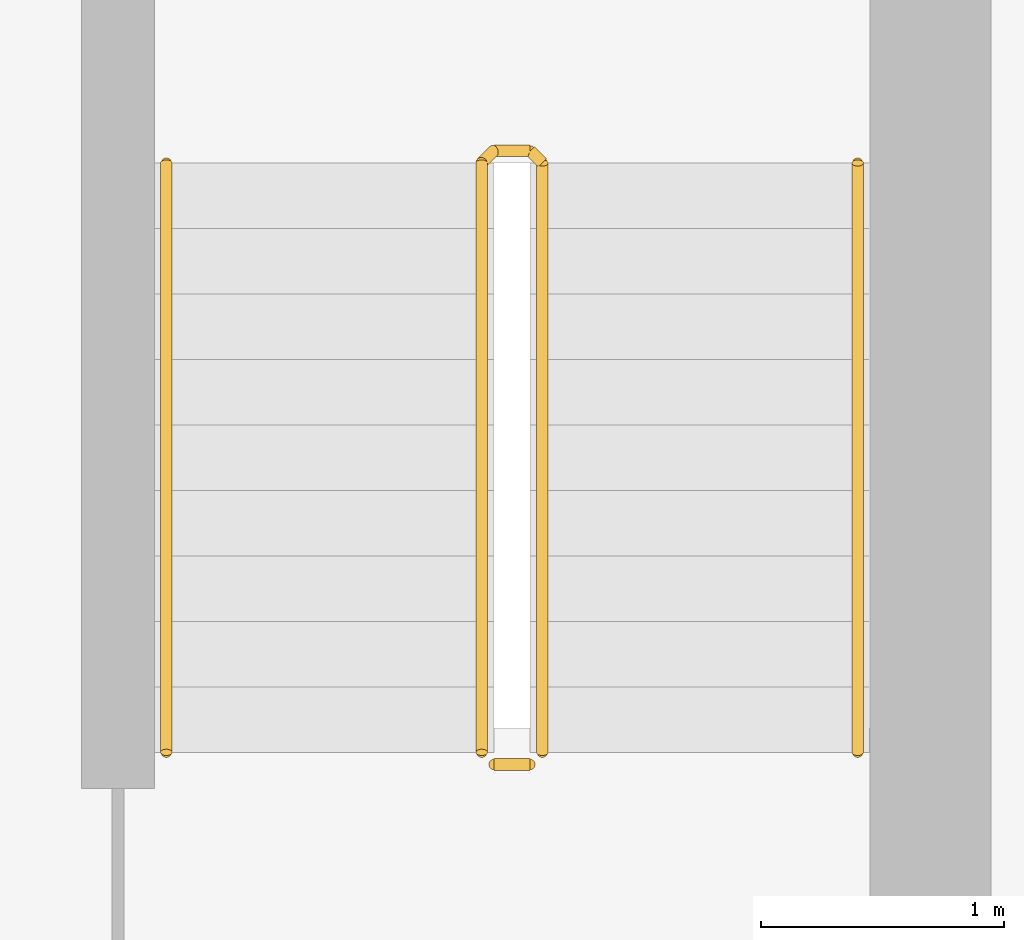
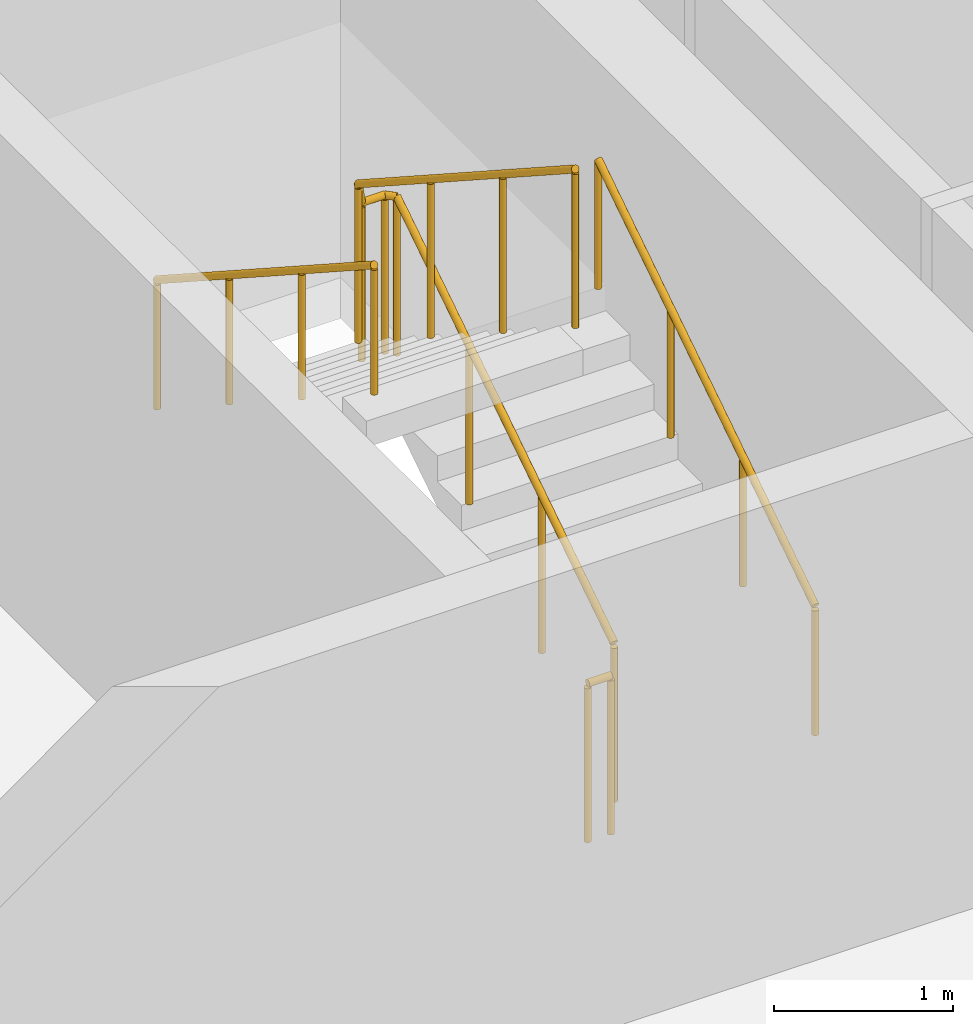
# One storey, part 16 of 19: 4 railings.
"""IFC4 building model written with IfcOpenShell, lengths in metres."""

from ifc_helpers import new_model, si_unit, direction, frame, origin, origin_2d, place, context, subcontext, project, spatial, circle, extrude, material, type_object, element, save


model = new_model("IFC4")

# Units and contexts
model_context = context("Model", 3, precision=1e-05, world=origin(), true_north=direction((0.0, 1.0)))
body_context = subcontext(model_context, "Body", "Model", "MODEL_VIEW")
ifc_project = project(units=[si_unit("LENGTHUNIT", "METRE"), si_unit("AREAUNIT", "SQUARE_METRE"), si_unit("VOLUMEUNIT", "CUBIC_METRE"), si_unit("PLANEANGLEUNIT", "RADIAN"), si_unit("MASSUNIT", "GRAM", prefix="KILO")], contexts=[model_context])

# Site, building, storey
site_placement = place(None, origin())
site = spatial("IfcSite", under=ifc_project, at=site_placement, CompositionType="ELEMENT")
building_placement = place(site_placement, origin())
building = spatial("IfcBuilding", under=site, at=building_placement, Name="Saffron Iwan Residences", CompositionType="ELEMENT")
storey_placement = place(building_placement, frame((0.0, 0.0, 211.5)))
storey = spatial("IfcBuildingStorey", under=building, at=storey_placement, Name="L56", CompositionType="ELEMENT", Elevation=211.5)

# Railings
ifc_material_1 = material(Name="Steel S355", Category="steel")
railing_type_1 = type_object("IfcRailingType", Name="Stair guard 1100", PredefinedType="GUARDRAIL", material=ifc_material_1)
railing_1_placement = place(storey_placement, frame((69.75, 67.85009765625, 0.175048828125)))
element("IfcRailing", 1, at=railing_1_placement, inside=storey, type_object=railing_type_1, Name="L56 ST-E stair guard 1", PredefinedType="GUARDRAIL", context=body_context, shape_type="SweptSolid", body=[
    extrude(circle(Radius=0.02392578125, at=origin_2d()), frame((0.0, 0.0, 1.076171875), z_axis=(0.0, 0.839153699163, 0.543894354798), x_axis=(-1.0, 0.0, 0.0)), (0.0, 0.0, 1.0), 2.895751953125),
    extrude(circle(Radius=0.02392578125, at=origin_2d()), frame((0.0, 2.429931640625, 2.65087890625), z_axis=(-0.707106781187, 0.707106781187, 0.0), x_axis=(-0.707106781187, -0.707106781187, 0.0)), (0.0, 0.0, 1.0), 0.07080078125),
    extrude(circle(Radius=0.02392578125, at=origin_2d()), frame((-0.050048828125, 2.47998046875, 2.65087890625), z_axis=(-1.0, 0.0, 0.0), x_axis=(0.0, -1.0, 0.0)), (0.0, 0.0, 1.0), 0.14990234375),
    extrude(circle(Radius=0.02392578125, at=origin_2d()), frame((-0.199951171875, 2.47998046875, 2.65087890625), z_axis=(-0.265065253269, -0.265065253269, 0.927081885822), x_axis=(0.707106781187, -0.707106781187, 0.0)), (0.0, 0.0, 1.0), 0.188720703125),
    extrude(circle(Radius=0.02392578125, at=origin_2d()), frame((-0.25, 2.429931640625, 2.826171875), z_axis=(0.0, -0.839153699163, 0.543894354798), x_axis=(1.0, 0.0, 0.0)), (0.0, 0.0, 1.0), 2.895751953125),
    extrude(circle(Radius=0.02099609375, at=origin_2d()), origin(), (0.0, 0.0, 1.0), 1.052001953125),
    extrude(circle(Radius=0.02099609375, at=origin_2d()), frame((0.0, 0.81005859375, 0.52490234375)), (0.0, 0.0, 1.0), 1.052001953125),
    extrude(circle(Radius=0.02099609375, at=origin_2d()), frame((0.0, 1.619873046875, 1.050048828125)), (0.0, 0.0, 1.0), 1.052001953125),
    extrude(circle(Radius=0.02099609375, at=origin_2d()), frame((0.0, 2.429931640625, 1.574951171875)), (0.0, 0.0, 1.0), 1.052001953125),
    extrude(circle(Radius=0.02099609375, at=origin_2d()), frame((-0.050048828125, 2.47998046875, 1.574951171875)), (0.0, 0.0, 1.0), 1.052001953125),
    extrude(circle(Radius=0.02099609375, at=origin_2d()), frame((-0.199951171875, 2.47998046875, 1.574951171875)), (0.0, 0.0, 1.0), 1.052001953125),
    extrude(circle(Radius=0.02099609375, at=origin_2d()), frame((-0.25, 2.429931640625, 1.75)), (0.0, 0.0, 1.0), 1.052001953125),
    extrude(circle(Radius=0.02099609375, at=origin_2d()), frame((-0.25, 1.619873046875, 2.27490234375)), (0.0, 0.0, 1.0), 1.052001953125),
    extrude(circle(Radius=0.02099609375, at=origin_2d()), frame((-0.25, 0.81005859375, 2.800048828125)), (0.0, 0.0, 1.0), 1.052001953125),
    extrude(circle(Radius=0.02099609375, at=origin_2d()), frame((-0.25, 0.0, 3.324951171875)), (0.0, 0.0, 1.0), 1.052001953125),
])
railing_2_placement = place(storey_placement, frame((69.699951171875, 67.800048828125, 0.0)))
element("IfcRailing", 2, at=railing_2_placement, inside=storey, type_object=railing_type_1, Name="L56 ST-E stair guard 2", PredefinedType="GUARDRAIL", context=body_context, shape_type="SweptSolid", body=[
    extrude(circle(Radius=0.02392578125, at=origin_2d()), frame((0.0, 0.0, 1.076171875), z_axis=(-1.0, 0.0, 0.0), x_axis=(0.0, -1.0, 0.0)), (0.0, 0.0, 1.0), 0.14990234375),
    extrude(circle(Radius=0.02099609375, at=origin_2d()), origin(), (0.0, 0.0, 1.0), 1.052001953125),
    extrude(circle(Radius=0.02099609375, at=origin_2d()), frame((-0.14990234375, 0.0, 0.0)), (0.0, 0.0, 1.0), 1.052001953125),
])
ifc_material_2 = material(Name="Stainless steel 316", Category="steel")
railing_type_2 = type_object("IfcRailingType", Name="Stair handrail 900", PredefinedType="HANDRAIL", material=ifc_material_2)
railing_3_placement = place(storey_placement, frame((71.050048828125, 67.85009765625, 0.175048828125)))
element("IfcRailing", 3, at=railing_3_placement, inside=storey, type_object=railing_type_2, Name="L56 ST-E stair handrail 1", PredefinedType="HANDRAIL", context=body_context, shape_type="SweptSolid", body=[
    extrude(circle(Radius=0.02392578125, at=origin_2d()), frame((0.0, 0.0, 0.8759765625), z_axis=(0.0, 0.839153699163, 0.543894354798), x_axis=(-1.0, 0.0, 0.0)), (0.0, 0.0, 1.0), 2.895751953125),
    extrude(circle(Radius=0.02099609375, at=origin_2d()), origin(), (0.0, 0.0, 1.0), 0.851806640625),
    extrude(circle(Radius=0.02099609375, at=origin_2d()), frame((0.0, 0.81005859375, 0.52490234375)), (0.0, 0.0, 1.0), 0.851806640625),
    extrude(circle(Radius=0.02099609375, at=origin_2d()), frame((0.0, 1.619873046875, 1.050048828125)), (0.0, 0.0, 1.0), 0.851806640625),
    extrude(circle(Radius=0.02099609375, at=origin_2d()), frame((0.0, 2.429931640625, 1.574951171875)), (0.0, 0.0, 1.0), 0.851806640625),
])
railing_4_placement = place(storey_placement, frame((68.199951171875, 70.280029296875, 1.925048828125)))
element("IfcRailing", 4, at=railing_4_placement, inside=storey, type_object=railing_type_2, Name="L56 ST-E stair handrail 2", PredefinedType="HANDRAIL", context=body_context, shape_type="SweptSolid", body=[
    extrude(circle(Radius=0.02392578125, at=origin_2d()), frame((0.0, 0.0, 0.8759765625), z_axis=(0.0, -0.839153699163, 0.543894354798), x_axis=(1.0, 0.0, 0.0)), (0.0, 0.0, 1.0), 2.895751953125),
    extrude(circle(Radius=0.02099609375, at=origin_2d()), origin(), (0.0, 0.0, 1.0), 0.851806640625),
    extrude(circle(Radius=0.02099609375, at=origin_2d()), frame((0.0, -0.81005859375, 0.52490234375)), (0.0, 0.0, 1.0), 0.851806640625),
    extrude(circle(Radius=0.02099609375, at=origin_2d()), frame((0.0, -1.619873046875, 1.050048828125)), (0.0, 0.0, 1.0), 0.851806640625),
    extrude(circle(Radius=0.02099609375, at=origin_2d()), frame((0.0, -2.429931640625, 1.574951171875)), (0.0, 0.0, 1.0), 0.851806640625),
])

save(model, "model.ifc")
